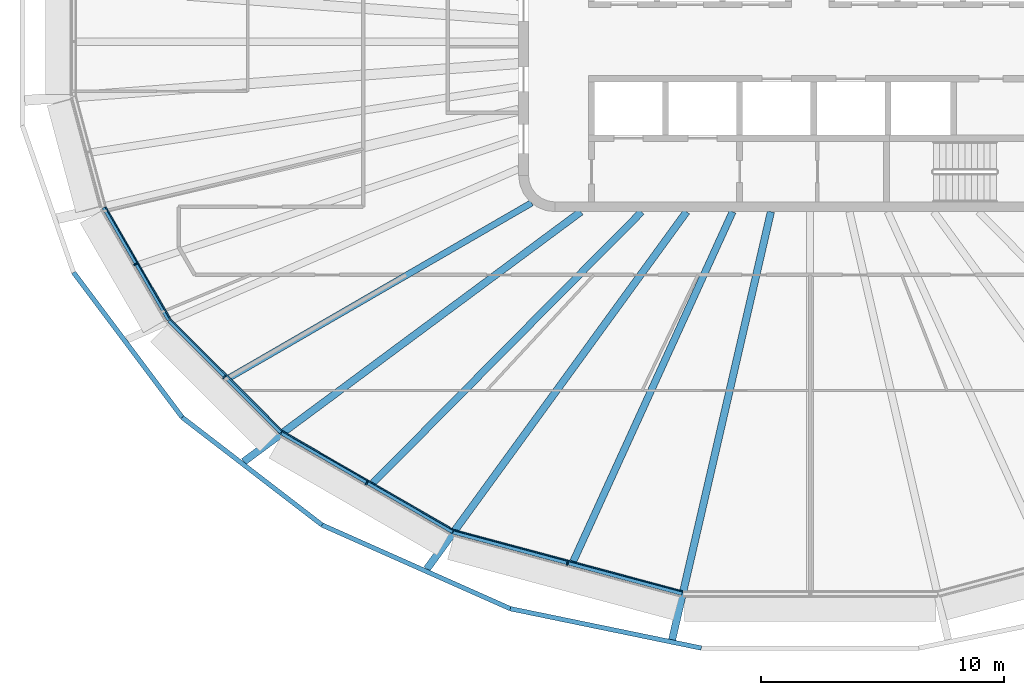
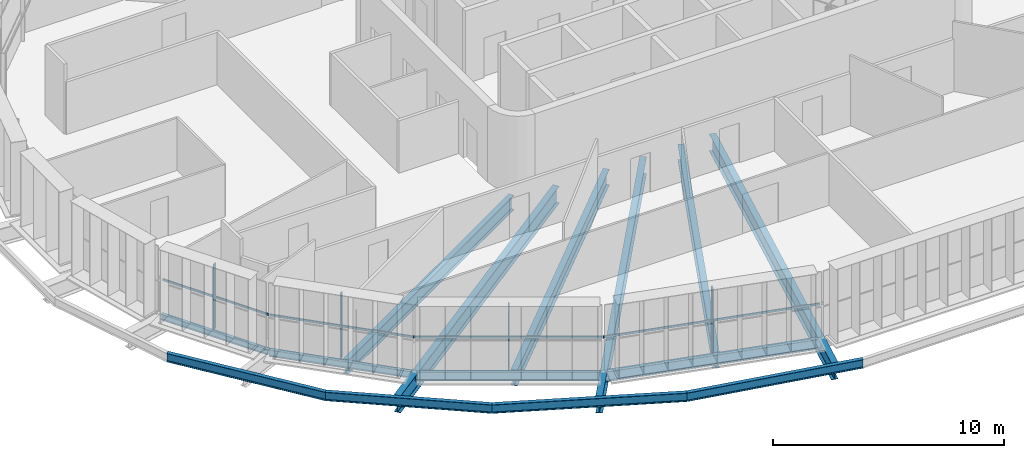
# One storey, part 1 of 19: 14 beams, 8 members, 4 elements without a shape of their own.
"""IFC4 building model written with IfcOpenShell, lengths in metres."""

import ifcopenshell
import ifcopenshell.guid

model = None  # the IFC model being written
_history = None  # IfcOwnerHistory: only IFC2X3 demands one
_inside = {}  # id of a spatial element -> (the spatial element, [elements in it])
_under = {}  # id of a project, library or spatial element -> (it, [spatial elements below it])
_declared = {}  # id of a project -> (the project, [libraries it declares])
_typed = {}  # id of a type object -> (the type object, [elements of that type])
_made_of = {}  # id of a material, layer set ... -> (it, [elements and type objects made of it])


def new_model(schema):
    """Start an empty IFC model of exactly this schema.

    Asked for "IFC4X3", IfcOpenShell would pick the latest addendum, in which some entities
    have other attributes; the version numbers below select the first issue.
    IFC2X3 requires an IfcOwnerHistory on every rooted entity: one is made here for all.
    """
    global model, _history
    if schema == "IFC4X3":
        model = ifcopenshell.file(schema_version=(4, 3, 0, 0))
    else:
        model = ifcopenshell.file(schema=schema)
    _inside.clear()
    _under.clear()
    _declared.clear()
    _typed.clear()
    _made_of.clear()
    _history = None
    if model.schema == "IFC2X3":
        org = make("IfcOrganization", Name="unknown")
        user = make(
            "IfcPersonAndOrganization",
            ThePerson=make("IfcPerson", FamilyName="unknown"),
            TheOrganization=org,
        )
        app = make(
            "IfcApplication",
            ApplicationDeveloper=org,
            Version="unknown",
            ApplicationFullName="unknown",
            ApplicationIdentifier="unknown",
        )
        _history = make(
            "IfcOwnerHistory",
            OwningUser=user,
            OwningApplication=app,
            ChangeAction="ADDED",
            CreationDate=0,
        )
    return model


def make(cls, **values):
    """One entity of the class cls with the attributes given. An attribute that is None is left unset."""
    return model.create_entity(
        cls, **{name: value for name, value in values.items() if value is not None}
    )


def rooted(cls, **values):
    """An entity with a GlobalId (a new one), such as an element, a storey or a relation."""
    return make(cls, GlobalId=ifcopenshell.guid.new(), OwnerHistory=_history, **values)


def si_unit(unit_type, name, prefix=None):
    """IfcSIUnit, for example si_unit("LENGTHUNIT", "METRE", prefix="MILLI")."""
    return make("IfcSIUnit", UnitType=unit_type, Prefix=prefix, Name=name)


def assignment(units):
    """IfcUnitAssignment: the units of a project."""
    return None if units is None else make("IfcUnitAssignment", Units=units)


def point(xyz):
    """IfcCartesianPoint."""
    return None if xyz is None else make("IfcCartesianPoint", Coordinates=xyz)


def direction(xyz):
    """IfcDirection."""
    return None if xyz is None else make("IfcDirection", DirectionRatios=xyz)


def frame(location, z_axis=None, x_axis=None):
    """IfcAxis2Placement3D, a coordinate frame: its origin and axes. An axis left out is left unset."""
    return make(
        "IfcAxis2Placement3D",
        Location=point(location),
        Axis=direction(z_axis),
        RefDirection=direction(x_axis),
    )


def frame_2d(location, x_axis=None):
    """IfcAxis2Placement2D, a coordinate frame in the plane: its origin and x axis."""
    return make(
        "IfcAxis2Placement2D", Location=point(location), RefDirection=direction(x_axis)
    )


def origin():
    """The frame at (0, 0, 0) with its axes left unset."""
    return frame((0.0, 0.0, 0.0))


def origin_2d():
    """The frame at (0, 0) in the plane with its x axis left unset."""
    return frame_2d((0.0, 0.0))


def place(relative_to, where):
    """IfcLocalPlacement: puts the frame where relative to a parent placement (None: the world)."""
    return make(
        "IfcLocalPlacement", PlacementRelTo=relative_to, RelativePlacement=where
    )


def context(
    kind, dimensions, precision=None, world=None, true_north=None, identifier=None
):
    """IfcGeometricRepresentationContext, for example the 3D "Model" context."""
    return make(
        "IfcGeometricRepresentationContext",
        ContextIdentifier=identifier,
        ContextType=kind,
        CoordinateSpaceDimension=dimensions,
        Precision=precision,
        WorldCoordinateSystem=world,
        TrueNorth=true_north,
    )


def subcontext(parent, identifier, kind, view, scale=None):
    """IfcGeometricRepresentationSubContext, for example "Body" below "Model"."""
    return make(
        "IfcGeometricRepresentationSubContext",
        ContextIdentifier=identifier,
        ContextType=kind,
        ParentContext=parent,
        TargetScale=scale,
        TargetView=view,
    )


def project(units=None, contexts=None):
    """IfcProject with its units and contexts."""
    return rooted(
        "IfcProject",
        Name="project",
        RepresentationContexts=contexts,
        UnitsInContext=assignment(units),
    )


def spatial(cls, under=None, at=None, **own):
    """A site, building, storey or space (cls), placed at a placement, below another one or the project."""
    s = rooted(cls, ObjectPlacement=at, **own)
    if under is not None:
        _under.setdefault(under.id(), (under, []))[1].append(s)
    return s


def profile(cls, at=None, kind="AREA", **sizes):
    """A parametric profile (cls). Its sizes go by their IFC names, for example OverallWidth=200.0."""
    return make(cls, ProfileType=kind, Position=at, **sizes)


def rectangle(**sizes):
    """IfcRectangleProfileDef."""
    return profile("IfcRectangleProfileDef", **sizes)


def i_section(**sizes):
    """IfcIShapeProfileDef."""
    return profile("IfcIShapeProfileDef", **sizes)


def extrude(swept, where, along, depth):
    """IfcExtrudedAreaSolid: the profile swept, set in the frame where, extruded along a direction by depth."""
    return make(
        "IfcExtrudedAreaSolid",
        SweptArea=swept,
        Position=where,
        ExtrudedDirection=direction(along),
        Depth=depth,
    )


def shape(context_of_items, identifier, shape_type, items):
    """IfcShapeRepresentation: the items that make up one representation, for example the "Body"."""
    return make(
        "IfcShapeRepresentation",
        ContextOfItems=context_of_items,
        RepresentationIdentifier=identifier,
        RepresentationType=shape_type,
        Items=items,
    )


def material(Name=None, Category=None):
    """IfcMaterial."""
    return make("IfcMaterial", Name=Name, Category=Category)


def layer(
    of_material, thickness, ventilated=None, Name=None, Category=None, Priority=None
):
    """IfcMaterialLayer: one layer of a wall or slab, of a material (None: an air gap)."""
    return make(
        "IfcMaterialLayer",
        Material=of_material,
        LayerThickness=thickness,
        IsVentilated=ventilated,
        Name=Name,
        Category=Category,
        Priority=Priority,
    )


def layer_set(layers, Name=None):
    """IfcMaterialLayerSet."""
    return make("IfcMaterialLayerSet", MaterialLayers=layers, LayerSetName=Name)


def material_profile(
    of_material, cross_section, Name=None, Category=None, Priority=None
):
    """IfcMaterialProfile: a cross section and its material."""
    return make(
        "IfcMaterialProfile",
        Name=Name,
        Material=of_material,
        Profile=cross_section,
        Priority=Priority,
        Category=Category,
    )


def profile_set(profiles, Name=None, composite=None):
    """IfcMaterialProfileSet."""
    return make(
        "IfcMaterialProfileSet",
        Name=Name,
        MaterialProfiles=profiles,
        CompositeProfile=composite,
    )


def made_of(thing, what):
    """Note that an element or type object is made of a material, layer set ...; save() writes the relation."""
    if what is not None:
        _made_of.setdefault(what.id(), (what, []))[1].append(thing)
    return thing


def type_object(cls, material=None, **own):
    """A type object (cls), such as IfcWallType, which elements share."""
    return made_of(rooted(cls, **own), material)


def element(
    cls,
    number,
    at=None,
    inside=None,
    cuts=None,
    type_object=None,
    material=None,
    context=None,
    identifier="Body",
    shape_type=None,
    held_by="IfcProductDefinitionShape",
    body=None,
    shapes=None,
    **own,
):
    """One element of the class cls, such as IfcWall. Its Tag is "e" and its number.

    at: its placement. inside: the storey or other place that contains it. cuts: it is an
    opening in that element (IfcRelVoidsElement). A single representation is given by context,
    identifier, shape_type and body (its items); several are given by shapes. held_by: the class
    of the entity that holds the representations. save() writes the other relations.
    """
    e = rooted(cls, Tag="e%d" % number, ObjectPlacement=at, **own)
    if body is not None:
        shapes = [shape(context, identifier, shape_type, body)]
    if shapes is not None:
        e.Representation = make(held_by, Representations=shapes)
    if inside is not None:
        _inside.setdefault(inside.id(), (inside, []))[1].append(e)
    if cuts is not None:
        rooted(
            "IfcRelVoidsElement", RelatingBuildingElement=cuts, RelatedOpeningElement=e
        )
    if type_object is not None:
        _typed.setdefault(type_object.id(), (type_object, []))[1].append(e)
    return made_of(e, material)


def aggregate(whole, parts):
    """IfcRelAggregates: a whole, such as a stair, and the parts it consists of."""
    return rooted("IfcRelAggregates", RelatingObject=whole, RelatedObjects=parts)


def save(model, path):
    """Write the relations noted so far, then the file.

    IfcRelAggregates (storeys below a building ...), IfcRelContainedInSpatialStructure (elements
    in a storey), IfcRelDefinesByType, IfcRelAssociatesMaterial and IfcRelDeclares: one each for
    every whole, place, type object, material and project.
    """
    for whole, parts in _under.values():
        aggregate(whole, parts)
    for where, things in _inside.values():
        rooted(
            "IfcRelContainedInSpatialStructure",
            RelatedElements=things,
            RelatingStructure=where,
        )
    for kind, things in _typed.values():
        rooted("IfcRelDefinesByType", RelatedObjects=things, RelatingType=kind)
    for what, things in _made_of.values():
        rooted("IfcRelAssociatesMaterial", RelatedObjects=things, RelatingMaterial=what)
    for by, libraries in _declared.values():
        rooted("IfcRelDeclares", RelatingContext=by, RelatedDefinitions=libraries)
    model.write(path)


model = new_model("IFC4")

# Units and contexts
model_context = context("Model", 3, precision=1e-05, world=origin(), true_north=direction((0.0, 1.0)))
body_context = subcontext(model_context, "Body", "Model", "MODEL_VIEW")
ifc_project = project(units=[si_unit("LENGTHUNIT", "METRE"), si_unit("AREAUNIT", "SQUARE_METRE"), si_unit("VOLUMEUNIT", "CUBIC_METRE"), si_unit("PLANEANGLEUNIT", "RADIAN"), si_unit("MASSUNIT", "GRAM", prefix="KILO")], contexts=[model_context])

# Site, building, storey
site_placement = place(None, origin())
site = spatial("IfcSite", under=ifc_project, at=site_placement, CompositionType="ELEMENT")
building_placement = place(site_placement, origin())
building = spatial("IfcBuilding", under=site, at=building_placement, Name="Sahrelin Media Tower", CompositionType="ELEMENT")
storey_placement = place(building_placement, frame((0.0, 0.0, 241.60009765625)))
storey = spatial("IfcBuildingStorey", under=building, at=storey_placement, Name="L52", CompositionType="ELEMENT", Elevation=241.60009765625)

# Beams
ifc_material_1 = material(Name="Steel S355", Category="steel")
ifc_material_profile_1 = material_profile(ifc_material_1, i_section(OverallWidth=0.1650390625, OverallDepth=0.303466796875, WebThickness=0.006103515625, FlangeThickness=0.01025390625, FilletRadius=0.0087890625, at=origin_2d()), Name="UB 305x165x40")
ifc_profile_set_1 = profile_set([ifc_material_profile_1], Name="Steel S355")
beam_type_1 = type_object("IfcBeamType", Name="Edge beam EB2", PredefinedType="BEAM", material=ifc_profile_set_1)
beam_1_placement = place(storey_placement, frame((-26.399169921875, -11.453369140625, -0.3017578125), z_axis=(-0.500034814518, 0.86600530268, 0.0), x_axis=(-0.86600530268, -0.500034814518, 0.0)))
element("IfcBeam", 1, at=beam_1_placement, inside=storey, type_object=beam_type_1, Name="Edge beam L52-11", PredefinedType="BEAM", context=body_context, shape_type="SweptSolid", body=[
    extrude(i_section(OverallWidth=0.1650390625, OverallDepth=0.303466796875, WebThickness=0.006103515625, FlangeThickness=0.01025390625, FilletRadius=0.0087890625, at=origin_2d()), origin(), (0.0, 0.0, 1.0), 5.3447265625),
])
ifc_material_profile_2 = material_profile(ifc_material_1, i_section(OverallWidth=0.17138671875, OverallDepth=0.35498046875, WebThickness=0.00732421875, FlangeThickness=0.011474609375, FilletRadius=0.01025390625, at=origin_2d()), Name="UB 356x171x51")
ifc_profile_set_2 = profile_set([ifc_material_profile_2], Name="Steel S355")
beam_type_2 = type_object("IfcBeamType", Name="Edge beam EB3", PredefinedType="BEAM", material=ifc_profile_set_2)
beam_2_placement = place(storey_placement, frame((-21.779296875, -16.07861328125, -0.32763671875), z_axis=(-0.707106781187, 0.707106781187, 0.0), x_axis=(-0.707106781187, -0.707106781187, 0.0)))
element("IfcBeam", 2, at=beam_2_placement, inside=storey, type_object=beam_type_2, Name="Edge beam L52-10", PredefinedType="BEAM", context=body_context, shape_type="SweptSolid", body=[
    extrude(i_section(OverallWidth=0.17138671875, OverallDepth=0.35498046875, WebThickness=0.00732421875, FlangeThickness=0.011474609375, FilletRadius=0.01025390625, at=origin_2d()), origin(), (0.0, 0.0, 1.0), 6.508544921875),
])
ifc_material_profile_3 = material_profile(ifc_material_1, i_section(OverallWidth=0.1904296875, OverallDepth=0.45703125, WebThickness=0.009033203125, FlangeThickness=0.014404296875, FilletRadius=0.01025390625, at=origin_2d()), Name="UB 457x191x74")
ifc_profile_set_3 = profile_set([ifc_material_profile_3], Name="Steel S355")
beam_type_3 = type_object("IfcBeamType", Name="Edge beam EB5", PredefinedType="BEAM", material=ifc_profile_set_3)
beam_3_placement = place(storey_placement, frame((-14.716796875, -20.160400390625, -0.378662109375), z_axis=(-0.866024038412, 0.500002364886, 0.0), x_axis=(-0.500002364886, -0.866024038412, 0.0)))
element("IfcBeam", 3, at=beam_3_placement, inside=storey, type_object=beam_type_3, Name="Edge beam L52-09", PredefinedType="BEAM", context=body_context, shape_type="SweptSolid", body=[
    extrude(i_section(OverallWidth=0.1904296875, OverallDepth=0.45703125, WebThickness=0.009033203125, FlangeThickness=0.014404296875, FilletRadius=0.01025390625, at=origin_2d()), origin(), (0.0, 0.0, 1.0), 8.12890625),
])
ifc_material_profile_4 = material_profile(ifc_material_1, i_section(OverallWidth=0.208740234375, OverallDepth=0.5283203125, WebThickness=0.009521484375, FlangeThickness=0.01318359375, FilletRadius=0.0126953125, at=origin_2d()), Name="UB 533x210x82")
ifc_profile_set_4 = profile_set([ifc_material_profile_4], Name="Steel S355")
beam_type_4 = type_object("IfcBeamType", Name="Edge beam EB6", PredefinedType="BEAM", material=ifc_profile_set_4)
beam_4_placement = place(storey_placement, frame((-5.267578125, -22.6962890625, -0.414306640625), z_axis=(-0.965922692081, 0.258830741845, 0.0), x_axis=(-0.258830741845, -0.965922692081, 0.0)))
element("IfcBeam", 4, at=beam_4_placement, inside=storey, type_object=beam_type_4, Name="Edge beam L52-08", PredefinedType="BEAM", context=body_context, shape_type="SweptSolid", body=[
    extrude(i_section(OverallWidth=0.208740234375, OverallDepth=0.5283203125, WebThickness=0.009521484375, FlangeThickness=0.01318359375, FilletRadius=0.0126953125, at=origin_2d()), origin(), (0.0, 0.0, 1.0), 9.755126953125),
])

# Curtain wall, member
ifc_material_2 = material(Name="Champagne anodised aluminium 6063-T6", Category="aluminium")
ifc_layer = layer(ifc_material_2, 0.14990234375)
ifc_layer_set = layer_set([ifc_layer], Name="Tower ribbon curtain wall")
curtain_wall_type = type_object("IfcCurtainWallType", Name="Tower ribbon curtain wall", PredefinedType="NOTDEFINED", material=ifc_layer_set)
curtain_wall_1_placement = place(storey_placement, frame((-27.865234375, -9.214111328125, 0.0), z_axis=(0.0, 0.0, 1.0), x_axis=(1.0, 0.0, 0.0)))
curtain_wall_1 = element("IfcCurtainWall", 5, at=curtain_wall_1_placement, inside=storey, type_object=curtain_wall_type, Name="L52:CW:L52-14", PredefinedType="NOTDEFINED")
ifc_material_profile_5 = material_profile(ifc_material_2, rectangle(XDim=0.06005859375, YDim=0.175048828125, at=origin_2d()), Name="Mullion 60x175")
ifc_profile_set_5 = profile_set([ifc_material_profile_5], Name="Champagne anodised aluminium 6063-T6")
member_type_1 = type_object("IfcMemberType", Name="Mullion 60x175 CW1B", PredefinedType="MULLION", material=ifc_profile_set_5)
member_1_placement = place(storey_placement, frame((-27.772216796875, -9.16015625, 0.0), z_axis=(0.0, 0.0, 1.0), x_axis=(0.500009068969, -0.866020167749, 0.0)))
member_1 = element("IfcMember", 6, at=member_1_placement, type_object=member_type_1, Name="L52:CWM:L52-14", PredefinedType="MULLION", context=body_context, shape_type="SweptSolid", body=[
    extrude(rectangle(XDim=0.06005859375, YDim=0.175048828125, at=origin_2d()), origin(), (0.0, 0.0, 1.0), 3.448486328125),
])

curtain_wall_2_placement = place(storey_placement, frame((-24.1865234375, -13.883544921875, 0.0), z_axis=(0.0, 0.0, 1.0), x_axis=(1.0, 0.0, 0.0)))
curtain_wall_2 = element("IfcCurtainWall", 7, at=curtain_wall_2_placement, inside=storey, type_object=curtain_wall_type, Name="L52:CW:L52-15", PredefinedType="NOTDEFINED")
member_2_placement = place(storey_placement, frame((-24.110595703125, -13.807373046875, 0.0), z_axis=(0.0, 0.0, 1.0), x_axis=(0.707106781187, -0.707106781187, 0.0)))
member_2 = element("IfcMember", 8, at=member_2_placement, type_object=member_type_1, Name="L52:CWM:L52-15", PredefinedType="MULLION", context=body_context, shape_type="SweptSolid", body=[
    extrude(rectangle(XDim=0.06005859375, YDim=0.175048828125, at=origin_2d()), origin(), (0.0, 0.0, 1.0), 3.448486328125),
])

curtain_wall_3_placement = place(storey_placement, frame((-18.3115234375, -18.25830078125, 0.0), z_axis=(0.0, 0.0, 1.0), x_axis=(1.0, 0.0, 0.0)))
curtain_wall_3 = element("IfcCurtainWall", 9, at=curtain_wall_3_placement, inside=storey, type_object=curtain_wall_type, Name="L52:CW:L52-16", PredefinedType="NOTDEFINED")
member_3_placement = place(storey_placement, frame((-18.2578125, -18.1650390625, 0.0), z_axis=(0.0, 0.0, 1.0), x_axis=(0.866027149108, -0.499996976998, 0.0)))
member_3 = element("IfcMember", 10, at=member_3_placement, type_object=member_type_1, Name="L52:CWM:L52-16", PredefinedType="MULLION", context=body_context, shape_type="SweptSolid", body=[
    extrude(rectangle(XDim=0.06005859375, YDim=0.175048828125, at=origin_2d()), origin(), (0.0, 0.0, 1.0), 3.448486328125),
])

curtain_wall_4_placement = place(storey_placement, frame((-10.017578125, -21.57861328125, 0.0), z_axis=(0.0, 0.0, 1.0), x_axis=(1.0, 0.0, 0.0)))
curtain_wall_4 = element("IfcCurtainWall", 11, at=curtain_wall_4_placement, inside=storey, type_object=curtain_wall_type, Name="L52:CW:L52-17", PredefinedType="NOTDEFINED")
member_4_placement = place(storey_placement, frame((-9.98974609375, -21.474853515625, 0.0), z_axis=(0.0, 0.0, 1.0), x_axis=(0.965925374563, -0.258820730961, 0.0)))
member_4 = element("IfcMember", 12, at=member_4_placement, type_object=member_type_1, Name="L52:CWM:L52-17", PredefinedType="MULLION", context=body_context, shape_type="SweptSolid", body=[
    extrude(rectangle(XDim=0.06005859375, YDim=0.175048828125, at=origin_2d()), origin(), (0.0, 0.0, 1.0), 3.448486328125),
])

# Beams
ifc_material_profile_6 = material_profile(ifc_material_1, i_section(OverallWidth=0.30322265625, OverallDepth=0.903076171875, WebThickness=0.01513671875, FlangeThickness=0.020263671875, FilletRadius=0.01904296875, at=origin_2d()), Name="UB 914x305x201")
ifc_profile_set_6 = profile_set([ifc_material_profile_6], Name="Steel S355")
beam_type_5 = type_object("IfcBeamType", Name="Radial primary beam PB11", PredefinedType="BEAM", material=ifc_profile_set_6)
beam_5_placement = place(storey_placement, frame((-9.441162109375, -7.0, -0.6015625), z_axis=(-0.803283801232, -0.595596452876, 0.0), x_axis=(0.595596452876, -0.803283801232, 0.0)))
element("IfcBeam", 13, at=beam_5_placement, inside=storey, type_object=beam_type_5, Name="Radial beam L52-16", PredefinedType="BEAM", context=body_context, shape_type="SweptSolid", body=[
    extrude(i_section(OverallWidth=0.30322265625, OverallDepth=0.903076171875, WebThickness=0.01513671875, FlangeThickness=0.020263671875, FilletRadius=0.01904296875, at=origin_2d()), origin(), (0.0, 0.0, 1.0), 17.280029296875),
])
beam_6_placement = place(storey_placement, frame((-5.08837890625, -7.0, -0.6015625), z_axis=(-0.587989674537, -0.808868433453, 0.0), x_axis=(0.808868433453, -0.587989674537, 0.0)))
element("IfcBeam", 14, at=beam_6_placement, inside=storey, type_object=beam_type_5, Name="Radial beam L52-17", PredefinedType="BEAM", context=body_context, shape_type="SweptSolid", body=[
    extrude(i_section(OverallWidth=0.30322265625, OverallDepth=0.903076171875, WebThickness=0.01513671875, FlangeThickness=0.020263671875, FilletRadius=0.01904296875, at=origin_2d()), origin(), (0.0, 0.0, 1.0), 18.1845703125),
])
beam_7_placement = place(storey_placement, frame((-1.615478515625, -7.0, -0.6015625), z_axis=(-0.224863451121, -0.974390285435, 0.0), x_axis=(0.974390285435, -0.224863451121, 0.0)))
element("IfcBeam", 15, at=beam_7_placement, inside=storey, type_object=beam_type_5, Name="Radial beam L52-18", PredefinedType="BEAM", context=body_context, shape_type="SweptSolid", body=[
    extrude(i_section(OverallWidth=0.30322265625, OverallDepth=0.903076171875, WebThickness=0.01513671875, FlangeThickness=0.020263671875, FilletRadius=0.01904296875, at=origin_2d()), origin(), (0.0, 0.0, 1.0), 18.081787109375),
])
ifc_material_profile_7 = material_profile(ifc_material_1, i_section(OverallWidth=0.291748046875, OverallDepth=0.8349609375, WebThickness=0.013916015625, FlangeThickness=0.018798828125, FilletRadius=0.017822265625, at=origin_2d()), Name="UB 838x292x176")
ifc_profile_set_7 = profile_set([ifc_material_profile_7], Name="Steel S355")
beam_type_6 = type_object("IfcBeamType", Name="Radial secondary beam SB10", PredefinedType="BEAM", material=ifc_profile_set_7)
beam_8_placement = place(storey_placement, frame((-6.934326171875, -7.0, -0.567626953125), z_axis=(-0.70375757682, -0.710440196687, 0.0), x_axis=(0.710440196687, -0.70375757682, 0.0)))
element("IfcBeam", 16, at=beam_8_placement, inside=storey, type_object=beam_type_6, Name="Secondary beam L52-16", PredefinedType="BEAM", context=body_context, shape_type="SweptSolid", body=[
    extrude(i_section(OverallWidth=0.291748046875, OverallDepth=0.8349609375, WebThickness=0.013916015625, FlangeThickness=0.018798828125, FilletRadius=0.017822265625, at=origin_2d()), origin(), (0.0, 0.0, 1.0), 15.70947265625),
])
beam_9_placement = place(storey_placement, frame((-3.19091796875, -7.0, -0.567626953125), z_axis=(-0.414752003644, -0.90993448966, 0.0), x_axis=(0.90993448966, -0.414752003644, 0.0)))
element("IfcBeam", 17, at=beam_9_placement, inside=storey, type_object=beam_type_6, Name="Secondary beam L52-17", PredefinedType="BEAM", context=body_context, shape_type="SweptSolid", body=[
    extrude(i_section(OverallWidth=0.291748046875, OverallDepth=0.8349609375, WebThickness=0.013916015625, FlangeThickness=0.018798828125, FilletRadius=0.017822265625, at=origin_2d()), origin(), (0.0, 0.0, 1.0), 15.8115234375),
])
ifc_material_profile_8 = material_profile(ifc_material_1, i_section(OverallWidth=0.26513671875, OverallDepth=0.75390625, WebThickness=0.0126953125, FlangeThickness=0.017578125, FilletRadius=0.0166015625, at=origin_2d()), Name="UB 762x267x147")
ifc_profile_set_8 = profile_set([ifc_material_profile_8], Name="Steel S355")
beam_type_7 = type_object("IfcBeamType", Name="Radial secondary beam SB9", PredefinedType="BEAM", material=ifc_profile_set_8)
beam_10_placement = place(storey_placement, frame((-11.465087890625, -6.634033203125, -0.527099609375), z_axis=(-0.865540628134, -0.500838717602, 0.0), x_axis=(0.500838717602, -0.865540628134, 0.0)))
element("IfcBeam", 18, at=beam_10_placement, inside=storey, type_object=beam_type_7, Name="Secondary beam L52-15", PredefinedType="BEAM", context=body_context, shape_type="SweptSolid", body=[
    extrude(i_section(OverallWidth=0.26513671875, OverallDepth=0.75390625, WebThickness=0.0126953125, FlangeThickness=0.017578125, FilletRadius=0.0166015625, at=origin_2d()), origin(), (0.0, 0.0, 1.0), 14.371826171875),
])
ifc_material_profile_9 = material_profile(ifc_material_1, i_section(OverallWidth=0.1904296875, OverallDepth=0.45703125, WebThickness=0.009033203125, FlangeThickness=0.014404296875, FilletRadius=0.01025390625, at=origin_2d()), Name="UB 457x191x74")
ifc_profile_set_9 = profile_set([ifc_material_profile_9], Name="Steel S355")
beam_type_8 = type_object("IfcBeamType", Name="Tie chord TC5", PredefinedType="BEAM", material=ifc_profile_set_9)
beam_11_placement = place(storey_placement, frame((-30.327392578125, -9.49658203125, -0.378662109375), z_axis=(0.60004186865, -0.7999685968, 0.0), x_axis=(0.7999685968, 0.60004186865, 0.0)))
element("IfcBeam", 19, at=beam_11_placement, inside=storey, type_object=beam_type_8, Name="Tie chord L52-14", PredefinedType="BEAM", context=body_context, shape_type="SweptSolid", body=[
    extrude(i_section(OverallWidth=0.1904296875, OverallDepth=0.45703125, WebThickness=0.009033203125, FlangeThickness=0.014404296875, FilletRadius=0.01025390625, at=origin_2d()), origin(), (0.0, 0.0, 1.0), 7.463623046875),
])
beam_12_placement = place(storey_placement, frame((-25.848876953125, -15.46728515625, -0.378662109375), z_axis=(0.792452705175, -0.609933365263, 0.0), x_axis=(0.609933365263, 0.792452705175, 0.0)))
element("IfcBeam", 20, at=beam_12_placement, inside=storey, type_object=beam_type_8, Name="Tie chord L52-15", PredefinedType="BEAM", context=body_context, shape_type="SweptSolid", body=[
    extrude(i_section(OverallWidth=0.1904296875, OverallDepth=0.45703125, WebThickness=0.009033203125, FlangeThickness=0.014404296875, FilletRadius=0.01025390625, at=origin_2d()), origin(), (0.0, 0.0, 1.0), 7.260498046875),
])
beam_13_placement = place(storey_placement, frame((-20.09521484375, -19.895751953125, -0.378662109375), z_axis=(0.913825780346, -0.406106443159, 0.0), x_axis=(0.406106443159, 0.913825780346, 0.0)))
element("IfcBeam", 21, at=beam_13_placement, inside=storey, type_object=beam_type_8, Name="Tie chord L52-16", PredefinedType="BEAM", context=body_context, shape_type="SweptSolid", body=[
    extrude(i_section(OverallWidth=0.1904296875, OverallDepth=0.45703125, WebThickness=0.009033203125, FlangeThickness=0.014404296875, FilletRadius=0.01025390625, at=origin_2d()), origin(), (0.0, 0.0, 1.0), 8.488525390625),
])
beam_14_placement = place(storey_placement, frame((-12.338134765625, -23.343017578125, -0.378662109375), z_axis=(0.979384699, -0.202003988487, 0.0), x_axis=(0.202003988487, 0.979384699, 0.0)))
element("IfcBeam", 22, at=beam_14_placement, inside=storey, type_object=beam_type_8, Name="Tie chord L52-17", PredefinedType="BEAM", context=body_context, shape_type="SweptSolid", body=[
    extrude(i_section(OverallWidth=0.1904296875, OverallDepth=0.45703125, WebThickness=0.009033203125, FlangeThickness=0.014404296875, FilletRadius=0.01025390625, at=origin_2d()), origin(), (0.0, 0.0, 1.0), 8.025146484375),
])

# Member
ifc_material_profile_10 = material_profile(ifc_material_2, rectangle(XDim=0.050048828125, YDim=0.110107421875, at=origin_2d()), Name="Transom 50x110")
ifc_profile_set_10 = profile_set([ifc_material_profile_10], Name="Champagne anodised aluminium 6063-T6")
member_type_2 = type_object("IfcMemberType", Name="Transom 50x110 CW1B", PredefinedType="USERDEFINED", material=ifc_profile_set_10)
member_5_placement = place(storey_placement, frame((-29.003173828125, -6.80322265625, 1.599853515625), z_axis=(0.500003519352, -0.866023371876, 0.0), x_axis=(0.866023371876, 0.500003519352, 0.0)))
member_5 = element("IfcMember", 23, at=member_5_placement, type_object=member_type_2, Name="L52:CWT:L52-14", ObjectType="TRANSOM", PredefinedType="USERDEFINED", context=body_context, shape_type="SweptSolid", body=[
    extrude(rectangle(XDim=0.050048828125, YDim=0.110107421875, at=origin_2d()), origin(), (0.0, 0.0, 1.0), 5.3134765625),
])

aggregate(curtain_wall_1, [member_1, member_5])

member_6_placement = place(storey_placement, frame((-26.321044921875, -11.43798828125, 1.599853515625), z_axis=(0.707125627567, -0.707087934304, 0.0), x_axis=(0.707087934304, 0.707125627567, 0.0)))
member_6 = element("IfcMember", 24, at=member_6_placement, type_object=member_type_2, Name="L52:CWT:L52-15", ObjectType="TRANSOM", PredefinedType="USERDEFINED", context=body_context, shape_type="SweptSolid", body=[
    extrude(rectangle(XDim=0.050048828125, YDim=0.110107421875, at=origin_2d()), origin(), (0.0, 0.0, 1.0), 6.47705078125),
])

aggregate(curtain_wall_2, [member_2, member_6])

member_7_placement = place(storey_placement, frame((-21.7080078125, -16.043212890625, 1.599853515625), z_axis=(0.866022911947, -0.500004315964, 0.0), x_axis=(0.500004315964, 0.866022911947, 0.0)))
member_7 = element("IfcMember", 25, at=member_7_placement, type_object=member_type_2, Name="L52:CWT:L52-16", ObjectType="TRANSOM", PredefinedType="USERDEFINED", context=body_context, shape_type="SweptSolid", body=[
    extrude(rectangle(XDim=0.050048828125, YDim=0.110107421875, at=origin_2d()), origin(), (0.0, 0.0, 1.0), 8.09765625),
])

aggregate(curtain_wall_3, [member_3, member_7])

member_8_placement = place(storey_placement, frame((-14.65673828125, -20.10791015625, 1.599853515625), z_axis=(0.965925860392, -0.25881891783, 0.0), x_axis=(0.25881891783, 0.965925860392, 0.0)))
member_8 = element("IfcMember", 26, at=member_8_placement, type_object=member_type_2, Name="L52:CWT:L52-17", ObjectType="TRANSOM", PredefinedType="USERDEFINED", context=body_context, shape_type="SweptSolid", body=[
    extrude(rectangle(XDim=0.050048828125, YDim=0.110107421875, at=origin_2d()), origin(), (0.0, 0.0, 1.0), 9.723388671875),
])

aggregate(curtain_wall_4, [member_4, member_8])

save(model, "model.ifc")
